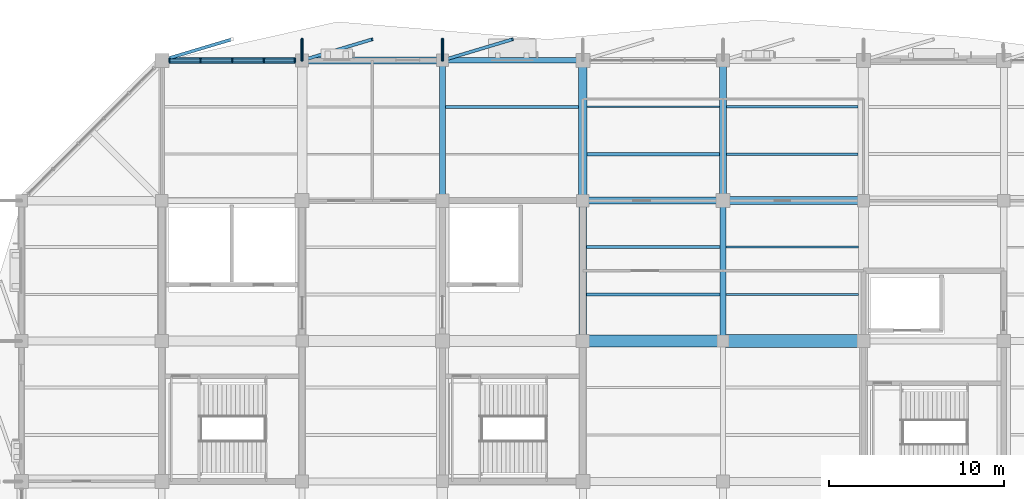
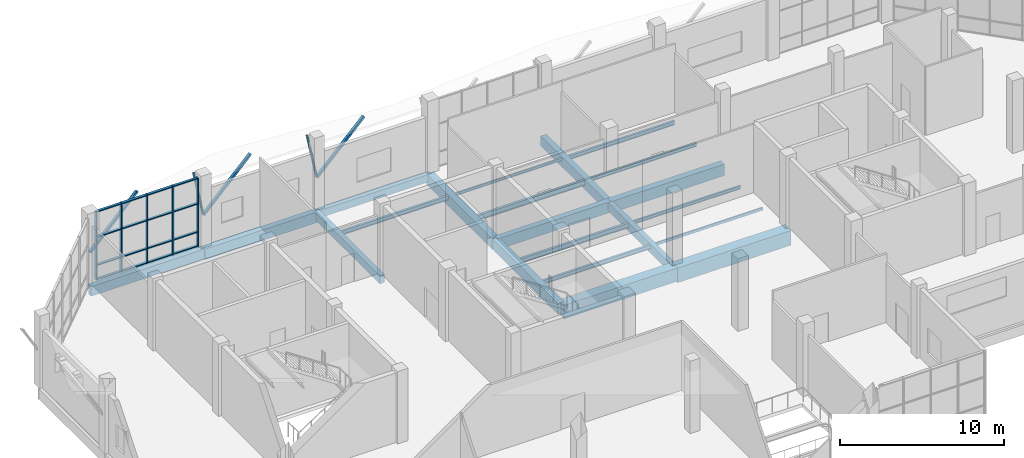
# One storey, part 37 of 122: 26 members, 21 beams, 1 element without a shape of its own.
"""IFC4 building model written with IfcOpenShell, lengths in metres."""

import ifcopenshell
import ifcopenshell.guid

model = None  # the IFC model being written
_history = None  # IfcOwnerHistory: only IFC2X3 demands one
_inside = {}  # id of a spatial element -> (the spatial element, [elements in it])
_under = {}  # id of a project, library or spatial element -> (it, [spatial elements below it])
_declared = {}  # id of a project -> (the project, [libraries it declares])
_typed = {}  # id of a type object -> (the type object, [elements of that type])
_made_of = {}  # id of a material, layer set ... -> (it, [elements and type objects made of it])


def new_model(schema):
    """Start an empty IFC model of exactly this schema.

    Asked for "IFC4X3", IfcOpenShell would pick the latest addendum, in which some entities
    have other attributes; the version numbers below select the first issue.
    IFC2X3 requires an IfcOwnerHistory on every rooted entity: one is made here for all.
    """
    global model, _history
    if schema == "IFC4X3":
        model = ifcopenshell.file(schema_version=(4, 3, 0, 0))
    else:
        model = ifcopenshell.file(schema=schema)
    _inside.clear()
    _under.clear()
    _declared.clear()
    _typed.clear()
    _made_of.clear()
    _history = None
    if model.schema == "IFC2X3":
        org = make("IfcOrganization", Name="unknown")
        user = make(
            "IfcPersonAndOrganization",
            ThePerson=make("IfcPerson", FamilyName="unknown"),
            TheOrganization=org,
        )
        app = make(
            "IfcApplication",
            ApplicationDeveloper=org,
            Version="unknown",
            ApplicationFullName="unknown",
            ApplicationIdentifier="unknown",
        )
        _history = make(
            "IfcOwnerHistory",
            OwningUser=user,
            OwningApplication=app,
            ChangeAction="ADDED",
            CreationDate=0,
        )
    return model


def make(cls, **values):
    """One entity of the class cls with the attributes given. An attribute that is None is left unset."""
    return model.create_entity(
        cls, **{name: value for name, value in values.items() if value is not None}
    )


def rooted(cls, **values):
    """An entity with a GlobalId (a new one), such as an element, a storey or a relation."""
    return make(cls, GlobalId=ifcopenshell.guid.new(), OwnerHistory=_history, **values)


def si_unit(unit_type, name, prefix=None):
    """IfcSIUnit, for example si_unit("LENGTHUNIT", "METRE", prefix="MILLI")."""
    return make("IfcSIUnit", UnitType=unit_type, Prefix=prefix, Name=name)


def assignment(units):
    """IfcUnitAssignment: the units of a project."""
    return None if units is None else make("IfcUnitAssignment", Units=units)


def point(xyz):
    """IfcCartesianPoint."""
    return None if xyz is None else make("IfcCartesianPoint", Coordinates=xyz)


def direction(xyz):
    """IfcDirection."""
    return None if xyz is None else make("IfcDirection", DirectionRatios=xyz)


def frame(location, z_axis=None, x_axis=None):
    """IfcAxis2Placement3D, a coordinate frame: its origin and axes. An axis left out is left unset."""
    return make(
        "IfcAxis2Placement3D",
        Location=point(location),
        Axis=direction(z_axis),
        RefDirection=direction(x_axis),
    )


def frame_2d(location, x_axis=None):
    """IfcAxis2Placement2D, a coordinate frame in the plane: its origin and x axis."""
    return make(
        "IfcAxis2Placement2D", Location=point(location), RefDirection=direction(x_axis)
    )


def origin():
    """The frame at (0, 0, 0) with its axes left unset."""
    return frame((0.0, 0.0, 0.0))


def origin_2d():
    """The frame at (0, 0) in the plane with its x axis left unset."""
    return frame_2d((0.0, 0.0))


def place(relative_to, where):
    """IfcLocalPlacement: puts the frame where relative to a parent placement (None: the world)."""
    return make(
        "IfcLocalPlacement", PlacementRelTo=relative_to, RelativePlacement=where
    )


def context(
    kind, dimensions, precision=None, world=None, true_north=None, identifier=None
):
    """IfcGeometricRepresentationContext, for example the 3D "Model" context."""
    return make(
        "IfcGeometricRepresentationContext",
        ContextIdentifier=identifier,
        ContextType=kind,
        CoordinateSpaceDimension=dimensions,
        Precision=precision,
        WorldCoordinateSystem=world,
        TrueNorth=true_north,
    )


def subcontext(parent, identifier, kind, view, scale=None):
    """IfcGeometricRepresentationSubContext, for example "Body" below "Model"."""
    return make(
        "IfcGeometricRepresentationSubContext",
        ContextIdentifier=identifier,
        ContextType=kind,
        ParentContext=parent,
        TargetScale=scale,
        TargetView=view,
    )


def project(units=None, contexts=None):
    """IfcProject with its units and contexts."""
    return rooted(
        "IfcProject",
        Name="project",
        RepresentationContexts=contexts,
        UnitsInContext=assignment(units),
    )


def spatial(cls, under=None, at=None, **own):
    """A site, building, storey or space (cls), placed at a placement, below another one or the project."""
    s = rooted(cls, ObjectPlacement=at, **own)
    if under is not None:
        _under.setdefault(under.id(), (under, []))[1].append(s)
    return s


def profile(cls, at=None, kind="AREA", **sizes):
    """A parametric profile (cls). Its sizes go by their IFC names, for example OverallWidth=200.0."""
    return make(cls, ProfileType=kind, Position=at, **sizes)


def rectangle(**sizes):
    """IfcRectangleProfileDef."""
    return profile("IfcRectangleProfileDef", **sizes)


def hollow_rectangle(**sizes):
    """IfcRectangleHollowProfileDef."""
    return profile("IfcRectangleHollowProfileDef", **sizes)


def hollow_circle(**sizes):
    """IfcCircleHollowProfileDef."""
    return profile("IfcCircleHollowProfileDef", **sizes)


def i_section(**sizes):
    """IfcIShapeProfileDef."""
    return profile("IfcIShapeProfileDef", **sizes)


def extrude(swept, where, along, depth):
    """IfcExtrudedAreaSolid: the profile swept, set in the frame where, extruded along a direction by depth."""
    return make(
        "IfcExtrudedAreaSolid",
        SweptArea=swept,
        Position=where,
        ExtrudedDirection=direction(along),
        Depth=depth,
    )


def shape(context_of_items, identifier, shape_type, items):
    """IfcShapeRepresentation: the items that make up one representation, for example the "Body"."""
    return make(
        "IfcShapeRepresentation",
        ContextOfItems=context_of_items,
        RepresentationIdentifier=identifier,
        RepresentationType=shape_type,
        Items=items,
    )


def material(Name=None, Category=None):
    """IfcMaterial."""
    return make("IfcMaterial", Name=Name, Category=Category)


def material_profile(
    of_material, cross_section, Name=None, Category=None, Priority=None
):
    """IfcMaterialProfile: a cross section and its material."""
    return make(
        "IfcMaterialProfile",
        Name=Name,
        Material=of_material,
        Profile=cross_section,
        Priority=Priority,
        Category=Category,
    )


def profile_set(profiles, Name=None, composite=None):
    """IfcMaterialProfileSet."""
    return make(
        "IfcMaterialProfileSet",
        Name=Name,
        MaterialProfiles=profiles,
        CompositeProfile=composite,
    )


def made_of(thing, what):
    """Note that an element or type object is made of a material, layer set ...; save() writes the relation."""
    if what is not None:
        _made_of.setdefault(what.id(), (what, []))[1].append(thing)
    return thing


def type_object(cls, material=None, **own):
    """A type object (cls), such as IfcWallType, which elements share."""
    return made_of(rooted(cls, **own), material)


def element(
    cls,
    number,
    at=None,
    inside=None,
    cuts=None,
    type_object=None,
    material=None,
    context=None,
    identifier="Body",
    shape_type=None,
    held_by="IfcProductDefinitionShape",
    body=None,
    shapes=None,
    **own,
):
    """One element of the class cls, such as IfcWall. Its Tag is "e" and its number.

    at: its placement. inside: the storey or other place that contains it. cuts: it is an
    opening in that element (IfcRelVoidsElement). A single representation is given by context,
    identifier, shape_type and body (its items); several are given by shapes. held_by: the class
    of the entity that holds the representations. save() writes the other relations.
    """
    e = rooted(cls, Tag="e%d" % number, ObjectPlacement=at, **own)
    if body is not None:
        shapes = [shape(context, identifier, shape_type, body)]
    if shapes is not None:
        e.Representation = make(held_by, Representations=shapes)
    if inside is not None:
        _inside.setdefault(inside.id(), (inside, []))[1].append(e)
    if cuts is not None:
        rooted(
            "IfcRelVoidsElement", RelatingBuildingElement=cuts, RelatedOpeningElement=e
        )
    if type_object is not None:
        _typed.setdefault(type_object.id(), (type_object, []))[1].append(e)
    return made_of(e, material)


def aggregate(whole, parts):
    """IfcRelAggregates: a whole, such as a stair, and the parts it consists of."""
    return rooted("IfcRelAggregates", RelatingObject=whole, RelatedObjects=parts)


def save(model, path):
    """Write the relations noted so far, then the file.

    IfcRelAggregates (storeys below a building ...), IfcRelContainedInSpatialStructure (elements
    in a storey), IfcRelDefinesByType, IfcRelAssociatesMaterial and IfcRelDeclares: one each for
    every whole, place, type object, material and project.
    """
    for whole, parts in _under.values():
        aggregate(whole, parts)
    for where, things in _inside.values():
        rooted(
            "IfcRelContainedInSpatialStructure",
            RelatedElements=things,
            RelatingStructure=where,
        )
    for kind, things in _typed.values():
        rooted("IfcRelDefinesByType", RelatedObjects=things, RelatingType=kind)
    for what, things in _made_of.values():
        rooted("IfcRelAssociatesMaterial", RelatedObjects=things, RelatingMaterial=what)
    for by, libraries in _declared.values():
        rooted("IfcRelDeclares", RelatingContext=by, RelatedDefinitions=libraries)
    model.write(path)


model = new_model("IFC4")

# Units and contexts
model_context = context("Model", 3, precision=1e-05, world=origin(), true_north=direction((0.0, 1.0)))
body_context = subcontext(model_context, "Body", "Model", "MODEL_VIEW")
ifc_project = project(units=[si_unit("LENGTHUNIT", "METRE"), si_unit("AREAUNIT", "SQUARE_METRE"), si_unit("VOLUMEUNIT", "CUBIC_METRE"), si_unit("PLANEANGLEUNIT", "RADIAN"), si_unit("MASSUNIT", "GRAM", prefix="KILO")], contexts=[model_context])

# Site, building, storey
site_placement = place(None, origin())
site = spatial("IfcSite", under=ifc_project, at=site_placement, CompositionType="ELEMENT")
building_placement = place(site_placement, origin())
building = spatial("IfcBuilding", under=site, at=building_placement, Name="Tenunan Teduh Sports Hall", CompositionType="ELEMENT")
storey_placement = place(building_placement, frame((0.0, 0.0, 5.39990234375)))
storey = spatial("IfcBuildingStorey", under=building, at=storey_placement, Name="L01", CompositionType="ELEMENT", Elevation=5.39990234375)

# Beams
ifc_material_1 = material(Name="Concrete C40/50", Category="concrete")
ifc_material_profile_1 = material_profile(ifc_material_1, rectangle(XDim=0.300048828125, YDim=0.550048828125, at=origin_2d()), Name="RCB 300x550")
ifc_profile_set_1 = profile_set([ifc_material_profile_1], Name="Concrete C40/50")
beam_type_1 = type_object("IfcBeamType", Name="BM-RC-300x550", PredefinedType="BEAM", material=ifc_profile_set_1)
beam_1_placement = place(storey_placement, frame((30.0, 118.0, -0.534912109375), z_axis=(1.0, 0.0, 0.0), x_axis=(0.0, 1.0, 0.0)))
element("IfcBeam", 1, at=beam_1_placement, inside=storey, type_object=beam_type_1, Name="BM-B-02-L01-1174", PredefinedType="BEAM", context=body_context, shape_type="SweptSolid", body=[
    extrude(rectangle(XDim=0.300048828125, YDim=0.550048828125, at=origin_2d()), origin(), (0.0, 0.0, 1.0), 8.0),
])
ifc_material_2 = material(Name="Concrete C40/50", Category="concrete")
ifc_material_profile_2 = material_profile(ifc_material_2, rectangle(XDim=0.35009765625, YDim=0.60009765625, at=origin_2d()), Name="RCB 350x600")
ifc_profile_set_2 = profile_set([ifc_material_profile_2], Name="Concrete C40/50")
beam_type_2 = type_object("IfcBeamType", Name="BM-RC-350x600", PredefinedType="BEAM", material=ifc_profile_set_2)
beam_2_placement = place(storey_placement, frame((30.0, 110.0, -0.559814453125), z_axis=(0.0, 1.0, 0.0), x_axis=(-1.0, 0.0, 0.0)))
element("IfcBeam", 2, at=beam_2_placement, inside=storey, type_object=beam_type_2, Name="BM-B-04-L01-1207", PredefinedType="BEAM", context=body_context, shape_type="SweptSolid", body=[
    extrude(rectangle(XDim=0.35009765625, YDim=0.60009765625, at=origin_2d()), origin(), (0.0, 0.0, 1.0), 8.0),
])
ifc_material_3 = material(Name="Concrete C40/50", Category="concrete")
ifc_material_profile_3 = material_profile(ifc_material_3, rectangle(XDim=0.35009765625, YDim=0.64990234375, at=origin_2d()), Name="RCB 350x650")
ifc_profile_set_3 = profile_set([ifc_material_profile_3], Name="Concrete C40/50")
beam_type_3 = type_object("IfcBeamType", Name="BM-RC-350x650", PredefinedType="BEAM", material=ifc_profile_set_3)
beam_3_placement = place(storey_placement, frame((46.0, 102.0, -0.5849609375), z_axis=(0.0, 1.0, 0.0), x_axis=(-1.0, 0.0, 0.0)))
element("IfcBeam", 3, at=beam_3_placement, inside=storey, type_object=beam_type_3, Name="BM-B-05-L01-1216", PredefinedType="BEAM", context=body_context, shape_type="SweptSolid", body=[
    extrude(rectangle(XDim=0.35009765625, YDim=0.64990234375, at=origin_2d()), origin(), (0.0, 0.0, 1.0), 8.0),
])
ifc_material_4 = material(Name="Concrete C40/50", Category="concrete")
ifc_material_profile_4 = material_profile(ifc_material_4, rectangle(XDim=0.39990234375, YDim=0.75, at=origin_2d()), Name="RCB 400x750")
ifc_profile_set_4 = profile_set([ifc_material_profile_4], Name="Concrete C40/50")
beam_type_4 = type_object("IfcBeamType", Name="BM-RC-400x750", PredefinedType="BEAM", material=ifc_profile_set_4)
beam_4_placement = place(storey_placement, frame((46.0, 110.0, -0.635009765625), z_axis=(0.0, 1.0, 0.0), x_axis=(-1.0, 0.0, 0.0)))
element("IfcBeam", 4, at=beam_4_placement, inside=storey, type_object=beam_type_4, Name="BM-B-09-L01-1217", PredefinedType="BEAM", context=body_context, shape_type="SweptSolid", body=[
    extrude(rectangle(XDim=0.39990234375, YDim=0.75, at=origin_2d()), origin(), (0.0, 0.0, 1.0), 8.0),
])
ifc_material_5 = material(Name="Concrete C40/50", Category="concrete")
ifc_material_profile_5 = material_profile(ifc_material_5, rectangle(XDim=0.39990234375, YDim=0.800048828125, at=origin_2d()), Name="RCB 400x800")
ifc_profile_set_5 = profile_set([ifc_material_profile_5], Name="Concrete C40/50")
beam_type_5 = type_object("IfcBeamType", Name="BM-RC-400x800", PredefinedType="BEAM", material=ifc_profile_set_5)
beam_5_placement = place(storey_placement, frame((38.0, 110.0, -0.659912109375), z_axis=(1.0, 0.0, 0.0), x_axis=(0.0, 1.0, 0.0)))
element("IfcBeam", 5, at=beam_5_placement, inside=storey, type_object=beam_type_5, Name="BM-B-10-L01-1159", PredefinedType="BEAM", context=body_context, shape_type="SweptSolid", body=[
    extrude(rectangle(XDim=0.39990234375, YDim=0.800048828125, at=origin_2d()), origin(), (0.0, 0.0, 1.0), 8.0),
])
ifc_material_6 = material(Name="Concrete C40/50", Category="concrete")
ifc_material_profile_6 = material_profile(ifc_material_6, rectangle(XDim=0.449951171875, YDim=0.800048828125, at=origin_2d()), Name="RCB 450x800")
ifc_profile_set_6 = profile_set([ifc_material_profile_6], Name="Concrete C40/50")
beam_type_6 = type_object("IfcBeamType", Name="BM-RC-450x800", PredefinedType="BEAM", material=ifc_profile_set_6)
beam_6_placement = place(storey_placement, frame((38.0, 102.0, -0.659912109375), z_axis=(0.0, 1.0, 0.0), x_axis=(-1.0, 0.0, 0.0)))
element("IfcBeam", 6, at=beam_6_placement, inside=storey, type_object=beam_type_6, Name="BM-B-12-L01-1211", PredefinedType="BEAM", context=body_context, shape_type="SweptSolid", body=[
    extrude(rectangle(XDim=0.449951171875, YDim=0.800048828125, at=origin_2d()), origin(), (0.0, 0.0, 1.0), 8.0),
])
ifc_material_7 = material(Name="Concrete C40/50", Category="concrete")
ifc_material_profile_7 = material_profile(ifc_material_7, rectangle(XDim=0.449951171875, YDim=0.85009765625, at=origin_2d()), Name="RCB 450x850")
ifc_profile_set_7 = profile_set([ifc_material_profile_7], Name="Concrete C40/50")
beam_type_7 = type_object("IfcBeamType", Name="BM-RC-450x850", PredefinedType="BEAM", material=ifc_profile_set_7)
beam_7_placement = place(storey_placement, frame((46.0, 110.0, -0.684814453125), z_axis=(1.0, 0.0, 0.0), x_axis=(0.0, 1.0, 0.0)))
element("IfcBeam", 7, at=beam_7_placement, inside=storey, type_object=beam_type_7, Name="BM-B-13-L01-1160", PredefinedType="BEAM", context=body_context, shape_type="SweptSolid", body=[
    extrude(rectangle(XDim=0.449951171875, YDim=0.85009765625, at=origin_2d()), origin(), (0.0, 0.0, 1.0), 8.0),
])
ifc_material_8 = material(Name="Concrete C40/50", Category="concrete")
ifc_material_profile_8 = material_profile(ifc_material_8, rectangle(XDim=0.5, YDim=0.800048828125, at=origin_2d()), Name="RCB 500x800")
ifc_profile_set_8 = profile_set([ifc_material_profile_8], Name="Concrete C40/50")
beam_type_8 = type_object("IfcBeamType", Name="BM-RC-500x800", PredefinedType="BEAM", material=ifc_profile_set_8)
beam_8_placement = place(storey_placement, frame((38.0, 110.0, -0.659912109375), z_axis=(0.0, 1.0, 0.0), x_axis=(-1.0, 0.0, 0.0)))
element("IfcBeam", 8, at=beam_8_placement, inside=storey, type_object=beam_type_8, Name="BM-B-14-L01-1212", PredefinedType="BEAM", context=body_context, shape_type="SweptSolid", body=[
    extrude(rectangle(XDim=0.5, YDim=0.800048828125, at=origin_2d()), origin(), (0.0, 0.0, 1.0), 8.0),
])
ifc_material_9 = material(Name="Concrete C40/50", Category="concrete")
ifc_material_profile_9 = material_profile(ifc_material_9, rectangle(XDim=0.699951171875, YDim=1.0, at=origin_2d()), Name="RCB 700x1000")
ifc_profile_set_9 = profile_set([ifc_material_profile_9], Name="Concrete C40/50")
beam_type_9 = type_object("IfcBeamType", Name="BM-RC-700x1000", PredefinedType="SPANDREL", material=ifc_profile_set_9)
beam_9_placement = place(storey_placement, frame((38.0, 102.0, -0.760009765625), z_axis=(1.0, 0.0, 0.0), x_axis=(0.0, 1.0, 0.0)))
element("IfcBeam", 9, at=beam_9_placement, inside=storey, type_object=beam_type_9, Name="BM-B-19-L01-1142", PredefinedType="SPANDREL", context=body_context, shape_type="SweptSolid", body=[
    extrude(rectangle(XDim=0.699951171875, YDim=1.0, at=origin_2d()), origin(), (0.0, 0.0, 1.0), 8.0),
])
ifc_material_10 = material(Name="Concrete C40/50", Category="concrete")
ifc_material_profile_10 = material_profile(ifc_material_10, rectangle(XDim=0.75, YDim=1.10009765625, at=origin_2d()), Name="RCB 750x1100")
ifc_profile_set_10 = profile_set([ifc_material_profile_10], Name="Concrete C40/50")
beam_type_10 = type_object("IfcBeamType", Name="BM-RC-750x1100", PredefinedType="SPANDREL", material=ifc_profile_set_10)
beam_10_placement = place(storey_placement, frame((46.0, 102.0, -0.809814453125), z_axis=(1.0, 0.0, 0.0), x_axis=(0.0, 1.0, 0.0)))
element("IfcBeam", 10, at=beam_10_placement, inside=storey, type_object=beam_type_10, Name="BM-B-20-L01-1143", PredefinedType="SPANDREL", context=body_context, shape_type="SweptSolid", body=[
    extrude(rectangle(XDim=0.75, YDim=1.10009765625, at=origin_2d()), origin(), (0.0, 0.0, 1.0), 8.0),
])
ifc_material_11 = material(Name="Concrete C40/50", Category="concrete")
ifc_material_profile_11 = material_profile(ifc_material_11, rectangle(XDim=0.35009765625, YDim=0.719970703125, at=origin_2d()), Name="TB 350x720")
ifc_profile_set_11 = profile_set([ifc_material_profile_11], Name="Concrete C40/50")
beam_type_11 = type_object("IfcBeamType", Name="BM-TB-350x720", PredefinedType="T_BEAM", material=ifc_profile_set_11)
beam_11_placement = place(storey_placement, frame((14.0, 118.0, -0.619873046875), z_axis=(1.0, 0.0, 0.0), x_axis=(0.0, 1.0, 0.0)))
element("IfcBeam", 11, at=beam_11_placement, inside=storey, type_object=beam_type_11, Name="BM-TB-01-L01-1172", PredefinedType="T_BEAM", context=body_context, shape_type="SweptSolid", body=[
    extrude(rectangle(XDim=0.35009765625, YDim=0.719970703125, at=origin_2d()), origin(), (0.0, 0.0, 1.0), 8.0),
])
ifc_material_12 = material(Name="Concrete C40/50", Category="concrete")
ifc_material_profile_12 = material_profile(ifc_material_12, rectangle(XDim=0.39990234375, YDim=0.780029296875, at=origin_2d()), Name="TB 400x780")
ifc_profile_set_12 = profile_set([ifc_material_profile_12], Name="Concrete C40/50")
beam_type_12 = type_object("IfcBeamType", Name="BM-TB-400x780", PredefinedType="T_BEAM", material=ifc_profile_set_12)
beam_12_placement = place(storey_placement, frame((22.0, 118.0, -0.64990234375), z_axis=(1.0, 0.0, 0.0), x_axis=(0.0, 1.0, 0.0)))
element("IfcBeam", 12, at=beam_12_placement, inside=storey, type_object=beam_type_12, Name="BM-TB-02-L01-1173", PredefinedType="T_BEAM", context=body_context, shape_type="SweptSolid", body=[
    extrude(rectangle(XDim=0.39990234375, YDim=0.780029296875, at=origin_2d()), origin(), (0.0, 0.0, 1.0), 8.0),
])

# Curtain wall, members
ifc_material_13 = material(Name="Anodised aluminium", Category="aluminium")
curtain_wall_type = type_object("IfcCurtainWallType", Name="CW-UNIT-1", PredefinedType="NOTDEFINED", material=ifc_material_13)
curtain_wall_placement = place(storey_placement, origin())
curtain_wall = element("IfcCurtainWall", 13, at=curtain_wall_placement, inside=storey, type_object=curtain_wall_type, Name="CW-CWM-220-L01-205", PredefinedType="NOTDEFINED")
ifc_material_14 = material(Name="Anodised aluminium", Category="aluminium")
ifc_material_profile_13 = material_profile(ifc_material_14, rectangle(XDim=0.074951171875, YDim=0.219970703125, at=origin_2d()), Name="CWM 75x220")
ifc_profile_set_13 = profile_set([ifc_material_profile_13], Name="Anodised aluminium")
member_type_1 = type_object("IfcMemberType", Name="CWM-220", PredefinedType="MULLION", material=ifc_profile_set_13)
member_1_placement = place(storey_placement, frame((14.4375, 118.0, 0.0), z_axis=(0.0, 0.0, 1.0), x_axis=(1.0, 0.0, 0.0)))
member_1 = element("IfcMember", 14, at=member_1_placement, type_object=member_type_1, Name="CW-01 mullion 1", PredefinedType="MULLION", context=body_context, shape_type="SweptSolid", body=[
    extrude(rectangle(XDim=0.074951171875, YDim=0.219970703125, at=origin_2d()), origin(), (0.0, 0.0, 1.0), 5.1201171875),
])
member_2_placement = place(storey_placement, frame((16.206298828125, 118.0, 0.0), z_axis=(0.0, 0.0, 1.0), x_axis=(1.0, 0.0, 0.0)))
member_2 = element("IfcMember", 15, at=member_2_placement, type_object=member_type_1, Name="CW-01 mullion 2", PredefinedType="MULLION", context=body_context, shape_type="SweptSolid", body=[
    extrude(rectangle(XDim=0.074951171875, YDim=0.219970703125, at=origin_2d()), origin(), (0.0, 0.0, 1.0), 5.1201171875),
])
member_3_placement = place(storey_placement, frame((18.012451171875, 118.0, 0.0), z_axis=(0.0, 0.0, 1.0), x_axis=(1.0, 0.0, 0.0)))
member_3 = element("IfcMember", 16, at=member_3_placement, type_object=member_type_1, Name="CW-01 mullion 3", PredefinedType="MULLION", context=body_context, shape_type="SweptSolid", body=[
    extrude(rectangle(XDim=0.074951171875, YDim=0.219970703125, at=origin_2d()), origin(), (0.0, 0.0, 1.0), 5.1201171875),
])
member_4_placement = place(storey_placement, frame((19.81884765625, 118.0, 0.0), z_axis=(0.0, 0.0, 1.0), x_axis=(1.0, 0.0, 0.0)))
member_4 = element("IfcMember", 17, at=member_4_placement, type_object=member_type_1, Name="CW-01 mullion 4", PredefinedType="MULLION", context=body_context, shape_type="SweptSolid", body=[
    extrude(rectangle(XDim=0.074951171875, YDim=0.219970703125, at=origin_2d()), origin(), (0.0, 0.0, 1.0), 5.1201171875),
])
member_5_placement = place(storey_placement, frame((21.58740234375, 118.0, 0.0), z_axis=(0.0, 0.0, 1.0), x_axis=(1.0, 0.0, 0.0)))
member_5 = element("IfcMember", 18, at=member_5_placement, type_object=member_type_1, Name="CW-01 mullion 5", PredefinedType="MULLION", context=body_context, shape_type="SweptSolid", body=[
    extrude(rectangle(XDim=0.074951171875, YDim=0.219970703125, at=origin_2d()), origin(), (0.0, 0.0, 1.0), 5.1201171875),
])
ifc_material_15 = material(Name="Anodised aluminium", Category="aluminium")
ifc_material_profile_14 = material_profile(ifc_material_15, rectangle(XDim=0.074951171875, YDim=0.179931640625, at=origin_2d()), Name="CWT 75x180")
ifc_profile_set_14 = profile_set([ifc_material_profile_14], Name="Anodised aluminium")
member_type_2 = type_object("IfcMemberType", Name="CWT-180", PredefinedType="USERDEFINED", material=ifc_profile_set_14)
member_6_placement = place(storey_placement, frame((14.47509765625, 118.0, 0.03759765625), z_axis=(1.0, 0.0, 0.0), x_axis=(0.0, 0.0, 1.0)))
member_6 = element("IfcMember", 19, at=member_6_placement, type_object=member_type_2, Name="CW-01 transom 1.1", ObjectType="TRANSOM", PredefinedType="USERDEFINED", context=body_context, shape_type="SweptSolid", body=[
    extrude(rectangle(XDim=0.074951171875, YDim=0.179931640625, at=origin_2d()), origin(), (0.0, 0.0, 1.0), 1.693603515625),
])
member_7_placement = place(storey_placement, frame((14.47509765625, 118.0, 1.10009765625), z_axis=(1.0, 0.0, 0.0), x_axis=(0.0, 0.0, 1.0)))
member_7 = element("IfcMember", 20, at=member_7_placement, type_object=member_type_2, Name="CW-01 transom 1.2", ObjectType="TRANSOM", PredefinedType="USERDEFINED", context=body_context, shape_type="SweptSolid", body=[
    extrude(rectangle(XDim=0.074951171875, YDim=0.179931640625, at=origin_2d()), origin(), (0.0, 0.0, 1.0), 1.693603515625),
])
member_8_placement = place(storey_placement, frame((14.47509765625, 118.0, 3.2001953125), z_axis=(1.0, 0.0, 0.0), x_axis=(0.0, 0.0, 1.0)))
member_8 = element("IfcMember", 21, at=member_8_placement, type_object=member_type_2, Name="CW-01 transom 1.3", ObjectType="TRANSOM", PredefinedType="USERDEFINED", context=body_context, shape_type="SweptSolid", body=[
    extrude(rectangle(XDim=0.074951171875, YDim=0.179931640625, at=origin_2d()), origin(), (0.0, 0.0, 1.0), 1.693603515625),
])
member_9_placement = place(storey_placement, frame((14.47509765625, 118.0, 5.08251953125), z_axis=(1.0, 0.0, 0.0), x_axis=(0.0, 0.0, 1.0)))
member_9 = element("IfcMember", 22, at=member_9_placement, type_object=member_type_2, Name="CW-01 transom 1.4", ObjectType="TRANSOM", PredefinedType="USERDEFINED", context=body_context, shape_type="SweptSolid", body=[
    extrude(rectangle(XDim=0.074951171875, YDim=0.179931640625, at=origin_2d()), origin(), (0.0, 0.0, 1.0), 1.693603515625),
])
member_10_placement = place(storey_placement, frame((16.24365234375, 118.0, 0.03759765625), z_axis=(1.0, 0.0, 0.0), x_axis=(0.0, 0.0, 1.0)))
member_10 = element("IfcMember", 23, at=member_10_placement, type_object=member_type_2, Name="CW-01 transom 2.1", ObjectType="TRANSOM", PredefinedType="USERDEFINED", context=body_context, shape_type="SweptSolid", body=[
    extrude(rectangle(XDim=0.074951171875, YDim=0.179931640625, at=origin_2d()), origin(), (0.0, 0.0, 1.0), 1.7314453125),
])
member_11_placement = place(storey_placement, frame((16.24365234375, 118.0, 1.10009765625), z_axis=(1.0, 0.0, 0.0), x_axis=(0.0, 0.0, 1.0)))
member_11 = element("IfcMember", 24, at=member_11_placement, type_object=member_type_2, Name="CW-01 transom 2.2", ObjectType="TRANSOM", PredefinedType="USERDEFINED", context=body_context, shape_type="SweptSolid", body=[
    extrude(rectangle(XDim=0.074951171875, YDim=0.179931640625, at=origin_2d()), origin(), (0.0, 0.0, 1.0), 1.7314453125),
])
member_12_placement = place(storey_placement, frame((16.24365234375, 118.0, 3.2001953125), z_axis=(1.0, 0.0, 0.0), x_axis=(0.0, 0.0, 1.0)))
member_12 = element("IfcMember", 25, at=member_12_placement, type_object=member_type_2, Name="CW-01 transom 2.3", ObjectType="TRANSOM", PredefinedType="USERDEFINED", context=body_context, shape_type="SweptSolid", body=[
    extrude(rectangle(XDim=0.074951171875, YDim=0.179931640625, at=origin_2d()), origin(), (0.0, 0.0, 1.0), 1.7314453125),
])
member_13_placement = place(storey_placement, frame((16.24365234375, 118.0, 5.08251953125), z_axis=(1.0, 0.0, 0.0), x_axis=(0.0, 0.0, 1.0)))
member_13 = element("IfcMember", 26, at=member_13_placement, type_object=member_type_2, Name="CW-01 transom 2.4", ObjectType="TRANSOM", PredefinedType="USERDEFINED", context=body_context, shape_type="SweptSolid", body=[
    extrude(rectangle(XDim=0.074951171875, YDim=0.179931640625, at=origin_2d()), origin(), (0.0, 0.0, 1.0), 1.7314453125),
])
member_14_placement = place(storey_placement, frame((18.050048828125, 118.0, 0.03759765625), z_axis=(1.0, 0.0, 0.0), x_axis=(0.0, 0.0, 1.0)))
member_14 = element("IfcMember", 27, at=member_14_placement, type_object=member_type_2, Name="CW-01 transom 3.1", ObjectType="TRANSOM", PredefinedType="USERDEFINED", context=body_context, shape_type="SweptSolid", body=[
    extrude(rectangle(XDim=0.074951171875, YDim=0.179931640625, at=origin_2d()), origin(), (0.0, 0.0, 1.0), 1.731201171875),
])
member_15_placement = place(storey_placement, frame((18.050048828125, 118.0, 1.10009765625), z_axis=(1.0, 0.0, 0.0), x_axis=(0.0, 0.0, 1.0)))
member_15 = element("IfcMember", 28, at=member_15_placement, type_object=member_type_2, Name="CW-01 transom 3.2", ObjectType="TRANSOM", PredefinedType="USERDEFINED", context=body_context, shape_type="SweptSolid", body=[
    extrude(rectangle(XDim=0.074951171875, YDim=0.179931640625, at=origin_2d()), origin(), (0.0, 0.0, 1.0), 1.731201171875),
])
member_16_placement = place(storey_placement, frame((18.050048828125, 118.0, 3.2001953125), z_axis=(1.0, 0.0, 0.0), x_axis=(0.0, 0.0, 1.0)))
member_16 = element("IfcMember", 29, at=member_16_placement, type_object=member_type_2, Name="CW-01 transom 3.3", ObjectType="TRANSOM", PredefinedType="USERDEFINED", context=body_context, shape_type="SweptSolid", body=[
    extrude(rectangle(XDim=0.074951171875, YDim=0.179931640625, at=origin_2d()), origin(), (0.0, 0.0, 1.0), 1.731201171875),
])
member_17_placement = place(storey_placement, frame((18.050048828125, 118.0, 5.08251953125), z_axis=(1.0, 0.0, 0.0), x_axis=(0.0, 0.0, 1.0)))
member_17 = element("IfcMember", 30, at=member_17_placement, type_object=member_type_2, Name="CW-01 transom 3.4", ObjectType="TRANSOM", PredefinedType="USERDEFINED", context=body_context, shape_type="SweptSolid", body=[
    extrude(rectangle(XDim=0.074951171875, YDim=0.179931640625, at=origin_2d()), origin(), (0.0, 0.0, 1.0), 1.731201171875),
])
member_18_placement = place(storey_placement, frame((19.856201171875, 118.0, 0.03759765625), z_axis=(1.0, 0.0, 0.0), x_axis=(0.0, 0.0, 1.0)))
member_18 = element("IfcMember", 31, at=member_18_placement, type_object=member_type_2, Name="CW-01 transom 4.1", ObjectType="TRANSOM", PredefinedType="USERDEFINED", context=body_context, shape_type="SweptSolid", body=[
    extrude(rectangle(XDim=0.074951171875, YDim=0.179931640625, at=origin_2d()), origin(), (0.0, 0.0, 1.0), 1.69384765625),
])
member_19_placement = place(storey_placement, frame((19.856201171875, 118.0, 1.10009765625), z_axis=(1.0, 0.0, 0.0), x_axis=(0.0, 0.0, 1.0)))
member_19 = element("IfcMember", 32, at=member_19_placement, type_object=member_type_2, Name="CW-01 transom 4.2", ObjectType="TRANSOM", PredefinedType="USERDEFINED", context=body_context, shape_type="SweptSolid", body=[
    extrude(rectangle(XDim=0.074951171875, YDim=0.179931640625, at=origin_2d()), origin(), (0.0, 0.0, 1.0), 1.69384765625),
])
member_20_placement = place(storey_placement, frame((19.856201171875, 118.0, 3.2001953125), z_axis=(1.0, 0.0, 0.0), x_axis=(0.0, 0.0, 1.0)))
member_20 = element("IfcMember", 33, at=member_20_placement, type_object=member_type_2, Name="CW-01 transom 4.3", ObjectType="TRANSOM", PredefinedType="USERDEFINED", context=body_context, shape_type="SweptSolid", body=[
    extrude(rectangle(XDim=0.074951171875, YDim=0.179931640625, at=origin_2d()), origin(), (0.0, 0.0, 1.0), 1.69384765625),
])
member_21_placement = place(storey_placement, frame((19.856201171875, 118.0, 5.08251953125), z_axis=(1.0, 0.0, 0.0), x_axis=(0.0, 0.0, 1.0)))
member_21 = element("IfcMember", 34, at=member_21_placement, type_object=member_type_2, Name="CW-01 transom 4.4", ObjectType="TRANSOM", PredefinedType="USERDEFINED", context=body_context, shape_type="SweptSolid", body=[
    extrude(rectangle(XDim=0.074951171875, YDim=0.179931640625, at=origin_2d()), origin(), (0.0, 0.0, 1.0), 1.69384765625),
])
aggregate(curtain_wall, [member_1, member_2, member_3, member_4, member_5, member_6, member_7, member_8, member_9, member_10, member_11, member_12, member_13, member_14, member_15, member_16, member_17, member_18, member_19, member_20, member_21])

# Beams
ifc_material_16 = material(Name="Steel S355", Category="steel")
ifc_material_profile_15 = material_profile(ifc_material_16, i_section(OverallWidth=0.10009765625, OverallDepth=0.199951171875, WebThickness=0.005615234375, FlangeThickness=0.008544921875, FilletRadius=0.011962890625, at=origin_2d()), Name="IPE 200")
ifc_profile_set_15 = profile_set([ifc_material_profile_15], Name="Steel S355")
beam_type_13 = type_object("IfcBeamType", Name="JST-IPE200", PredefinedType="JOIST", material=ifc_profile_set_15)
beam_13_placement = place(storey_placement, frame((38.25, 115.35009765625, -0.35986328125), z_axis=(1.0, 0.0, 0.0), x_axis=(0.0, 1.0, 0.0)))
element("IfcBeam", 35, at=beam_13_placement, inside=storey, type_object=beam_type_13, Name="BM-J-01-L01-1347", PredefinedType="JOIST", context=body_context, shape_type="SweptSolid", body=[
    extrude(i_section(OverallWidth=0.10009765625, OverallDepth=0.199951171875, WebThickness=0.005615234375, FlangeThickness=0.008544921875, FilletRadius=0.011962890625, at=origin_2d()), origin(), (0.0, 0.0, 1.0), 7.550048828125),
])
ifc_material_17 = material(Name="Steel S355", Category="steel")
ifc_material_profile_16 = material_profile(ifc_material_17, i_section(OverallWidth=0.1201171875, OverallDepth=0.239990234375, WebThickness=0.006103515625, FlangeThickness=0.009765625, FilletRadius=0.014892578125, at=origin_2d()), Name="IPE 240")
ifc_profile_set_16 = profile_set([ifc_material_profile_16], Name="Steel S355")
beam_type_14 = type_object("IfcBeamType", Name="JST-IPE240", PredefinedType="JOIST", material=ifc_profile_set_16)
beam_14_placement = place(storey_placement, frame((46.175048828125, 107.35009765625, -0.3798828125), z_axis=(1.0, 0.0, 0.0), x_axis=(0.0, 1.0, 0.0)))
element("IfcBeam", 36, at=beam_14_placement, inside=storey, type_object=beam_type_14, Name="BM-J-02-L01-1353", PredefinedType="JOIST", context=body_context, shape_type="SweptSolid", body=[
    extrude(i_section(OverallWidth=0.1201171875, OverallDepth=0.239990234375, WebThickness=0.006103515625, FlangeThickness=0.009765625, FilletRadius=0.014892578125, at=origin_2d()), origin(), (0.0, 0.0, 1.0), 7.550048828125),
])
ifc_material_18 = material(Name="Steel S355", Category="steel")
ifc_material_profile_17 = material_profile(ifc_material_18, i_section(OverallWidth=0.135009765625, OverallDepth=0.27001953125, WebThickness=0.006591796875, FlangeThickness=0.01025390625, FilletRadius=0.014892578125, at=origin_2d()), Name="IPE 270")
ifc_profile_set_17 = profile_set([ifc_material_profile_17], Name="Steel S355")
beam_type_15 = type_object("IfcBeamType", Name="JST-IPE270", PredefinedType="JOIST", material=ifc_profile_set_17)
beam_15_placement = place(storey_placement, frame((46.199951171875, 112.64990234375, -0.39501953125), z_axis=(1.0, 0.0, 0.0), x_axis=(0.0, 1.0, 0.0)))
element("IfcBeam", 37, at=beam_15_placement, inside=storey, type_object=beam_type_15, Name="BM-J-03-L01-1354", PredefinedType="JOIST", context=body_context, shape_type="SweptSolid", body=[
    extrude(i_section(OverallWidth=0.135009765625, OverallDepth=0.27001953125, WebThickness=0.006591796875, FlangeThickness=0.01025390625, FilletRadius=0.014892578125, at=origin_2d()), origin(), (0.0, 0.0, 1.0), 7.5),
])
ifc_material_19 = material(Name="Steel S355", Category="steel")
ifc_material_profile_18 = material_profile(ifc_material_19, i_section(OverallWidth=0.14990234375, OverallDepth=0.300048828125, WebThickness=0.007080078125, FlangeThickness=0.0107421875, FilletRadius=0.014892578125, at=origin_2d()), Name="IPE 300")
ifc_profile_set_18 = profile_set([ifc_material_profile_18], Name="Steel S355")
beam_type_16 = type_object("IfcBeamType", Name="JST-IPE300", PredefinedType="JOIST", material=ifc_profile_set_18)
beam_16_placement = place(storey_placement, frame((38.22509765625, 104.64990234375, -0.409912109375), z_axis=(1.0, 0.0, 0.0), x_axis=(0.0, 1.0, 0.0)))
element("IfcBeam", 38, at=beam_16_placement, inside=storey, type_object=beam_type_16, Name="BM-J-04-L01-1344", PredefinedType="JOIST", context=body_context, shape_type="SweptSolid", body=[
    extrude(i_section(OverallWidth=0.14990234375, OverallDepth=0.300048828125, WebThickness=0.007080078125, FlangeThickness=0.0107421875, FilletRadius=0.014892578125, at=origin_2d()), origin(), (0.0, 0.0, 1.0), 7.599853515625),
])
beam_17_placement = place(storey_placement, frame((46.199951171875, 115.35009765625, -0.409912109375), z_axis=(1.0, 0.0, 0.0), x_axis=(0.0, 1.0, 0.0)))
element("IfcBeam", 39, at=beam_17_placement, inside=storey, type_object=beam_type_16, Name="BM-J-04-L01-1355", PredefinedType="JOIST", context=body_context, shape_type="SweptSolid", body=[
    extrude(i_section(OverallWidth=0.14990234375, OverallDepth=0.300048828125, WebThickness=0.007080078125, FlangeThickness=0.0107421875, FilletRadius=0.014892578125, at=origin_2d()), origin(), (0.0, 0.0, 1.0), 7.5),
])
ifc_material_20 = material(Name="Steel S355", Category="steel")
ifc_material_profile_19 = material_profile(ifc_material_20, i_section(OverallWidth=0.169921875, OverallDepth=0.360107421875, WebThickness=0.008056640625, FlangeThickness=0.0126953125, FilletRadius=0.01806640625, at=origin_2d()), Name="IPE 360")
ifc_profile_set_19 = profile_set([ifc_material_profile_19], Name="Steel S355")
beam_type_17 = type_object("IfcBeamType", Name="JST-IPE360", PredefinedType="JOIST", material=ifc_profile_set_19)
beam_18_placement = place(storey_placement, frame((38.22509765625, 107.35009765625, -0.43994140625), z_axis=(1.0, 0.0, 0.0), x_axis=(0.0, 1.0, 0.0)))
element("IfcBeam", 40, at=beam_18_placement, inside=storey, type_object=beam_type_17, Name="BM-J-05-L01-1345", PredefinedType="JOIST", context=body_context, shape_type="SweptSolid", body=[
    extrude(i_section(OverallWidth=0.169921875, OverallDepth=0.360107421875, WebThickness=0.008056640625, FlangeThickness=0.0126953125, FilletRadius=0.01806640625, at=origin_2d()), origin(), (0.0, 0.0, 1.0), 7.599853515625),
])
ifc_material_21 = material(Name="Steel S355", Category="steel")
ifc_material_profile_20 = material_profile(ifc_material_21, i_section(OverallWidth=0.179931640625, OverallDepth=0.39990234375, WebThickness=0.008544921875, FlangeThickness=0.013427734375, FilletRadius=0.02099609375, at=origin_2d()), Name="IPE 400")
ifc_profile_set_20 = profile_set([ifc_material_profile_20], Name="Steel S355")
beam_type_18 = type_object("IfcBeamType", Name="JST-IPE400", PredefinedType="JOIST", material=ifc_profile_set_20)
beam_19_placement = place(storey_placement, frame((38.25, 112.64990234375, -0.4599609375), z_axis=(1.0, 0.0, 0.0), x_axis=(0.0, 1.0, 0.0)))
element("IfcBeam", 41, at=beam_19_placement, inside=storey, type_object=beam_type_18, Name="BM-J-06-L01-1346", PredefinedType="JOIST", context=body_context, shape_type="SweptSolid", body=[
    extrude(i_section(OverallWidth=0.179931640625, OverallDepth=0.39990234375, WebThickness=0.008544921875, FlangeThickness=0.013427734375, FilletRadius=0.02099609375, at=origin_2d()), origin(), (0.0, 0.0, 1.0), 7.550048828125),
])

# Members
ifc_material_22 = material(Name="Steel S355", Category="steel")
ifc_material_profile_21 = material_profile(ifc_material_22, hollow_circle(Radius=0.084228515625, WallThickness=0.008056640625, at=origin_2d()), Name="CHS 168.3x8.0")
ifc_profile_set_21 = profile_set([ifc_material_profile_21], Name="Steel S355")
member_type_3 = type_object("IfcMemberType", Name="MEM-BR-CHS168", PredefinedType="BRACE", material=ifc_profile_set_21)
for number, where, z_axis, x_axis, name in (
    (42, (22.0, 118.0, 2.2001953125), (0.0, 0.444246482761, 0.895904605722), (-1.0, 0.0, 0.0), "MEM-GD-04-L01-1175"),
    (43, (30.0, 118.0, 2.2001953125), (0.0, 0.444246482761, 0.895904605722), (-1.0, 0.0, 0.0), "MEM-GD-04-L01-1177"),
):
    element("IfcMember", number, at=place(storey_placement, frame(where, z_axis=z_axis, x_axis=x_axis)), inside=storey, type_object=member_type_3, Name=name, PredefinedType="BRACE", context=body_context, shape_type="SweptSolid", body=[
        extrude(hollow_circle(Radius=0.084228515625, WallThickness=0.008056640625, at=origin_2d()), origin(), (0.0, 0.0, 1.0), 2.701171875),
    ])
ifc_material_23 = material(Name="Steel S355", Category="steel")
ifc_material_profile_22 = material_profile(ifc_material_23, hollow_rectangle(XDim=0.179931640625, YDim=0.179931640625, WallThickness=0.010009765625, at=origin_2d()), Name="SHS 180x180x10.0")
ifc_profile_set_22 = profile_set([ifc_material_profile_22], Name="Steel S355")
member_type_4 = type_object("IfcMemberType", Name="MEM-ST-SHS180", PredefinedType="STRUT", material=ifc_profile_set_22)
for number, where, z_axis, x_axis, name in (
    (44, (14.0, 118.0, 2.2001953125), (0.828743625363, 0.24861297111, 0.501373706946), (-0.287337158709, 0.957829503213, 0.0), "MEM-VS-03-L01-1174"),
    (45, (22.0, 118.0, 2.2001953125), (0.828743625363, 0.24861297111, 0.501373706946), (-0.287337158709, 0.957829503213, 0.0), "MEM-VS-03-L01-1176"),
    (46, (30.0, 118.0, 2.2001953125), (0.828743625363, 0.24861297111, 0.501373706946), (-0.287337158709, 0.957829503213, 0.0), "MEM-VS-03-L01-1178"),
):
    element("IfcMember", number, at=place(storey_placement, frame(where, z_axis=z_axis, x_axis=x_axis)), inside=storey, type_object=member_type_4, Name=name, PredefinedType="STRUT", context=body_context, shape_type="SweptSolid", body=[
        extrude(hollow_rectangle(XDim=0.179931640625, YDim=0.179931640625, WallThickness=0.010009765625, at=origin_2d()), origin(), (0.0, 0.0, 1.0), 4.82666015625),
    ])

# Beams
ifc_material_24 = material(Name="Steel S355", Category="steel")
ifc_material_profile_23 = material_profile(ifc_material_24, hollow_rectangle(XDim=0.10009765625, YDim=0.199951171875, WallThickness=0.008056640625, at=origin_2d()), Name="RHS 200x100x8.0")
ifc_profile_set_23 = profile_set([ifc_material_profile_23], Name="Steel S355")
beam_type_19 = type_object("IfcBeamType", Name="RBM-RHS200", PredefinedType="JOIST", material=ifc_profile_set_23)
beam_20_placement = place(storey_placement, frame((46.175048828125, 104.64990234375, -0.35986328125), z_axis=(1.0, 0.0, 0.0), x_axis=(0.0, 1.0, 0.0)))
element("IfcBeam", 47, at=beam_20_placement, inside=storey, type_object=beam_type_19, Name="Perimeter Ring Beam BM-RB-05-L01-1352", PredefinedType="JOIST", context=body_context, shape_type="SweptSolid", body=[
    extrude(hollow_rectangle(XDim=0.10009765625, YDim=0.199951171875, WallThickness=0.008056640625, at=origin_2d()), origin(), (0.0, 0.0, 1.0), 7.550048828125),
])
ifc_material_25 = material(Name="Steel S355", Category="steel")
ifc_material_profile_24 = material_profile(ifc_material_25, i_section(OverallWidth=0.1650390625, OverallDepth=0.303466796875, WebThickness=0.006103515625, FlangeThickness=0.01025390625, FilletRadius=0.0087890625, at=origin_2d()), Name="UKB 305x165x40")
ifc_profile_set_24 = profile_set([ifc_material_profile_24], Name="Steel S355")
beam_type_20 = type_object("IfcBeamType", Name="SBM-UKB305", PredefinedType="BEAM", material=ifc_profile_set_24)
beam_21_placement = place(storey_placement, frame((30.175048828125, 115.35009765625, -0.41162109375), z_axis=(1.0, 0.0, 0.0), x_axis=(0.0, 1.0, 0.0)))
element("IfcBeam", 48, at=beam_21_placement, inside=storey, type_object=beam_type_20, Name="BM-SB-01-L01-1337", PredefinedType="BEAM", context=body_context, shape_type="SweptSolid", body=[
    extrude(i_section(OverallWidth=0.1650390625, OverallDepth=0.303466796875, WebThickness=0.006103515625, FlangeThickness=0.01025390625, FilletRadius=0.0087890625, at=origin_2d()), origin(), (0.0, 0.0, 1.0), 7.574951171875),
])

save(model, "model.ifc")
